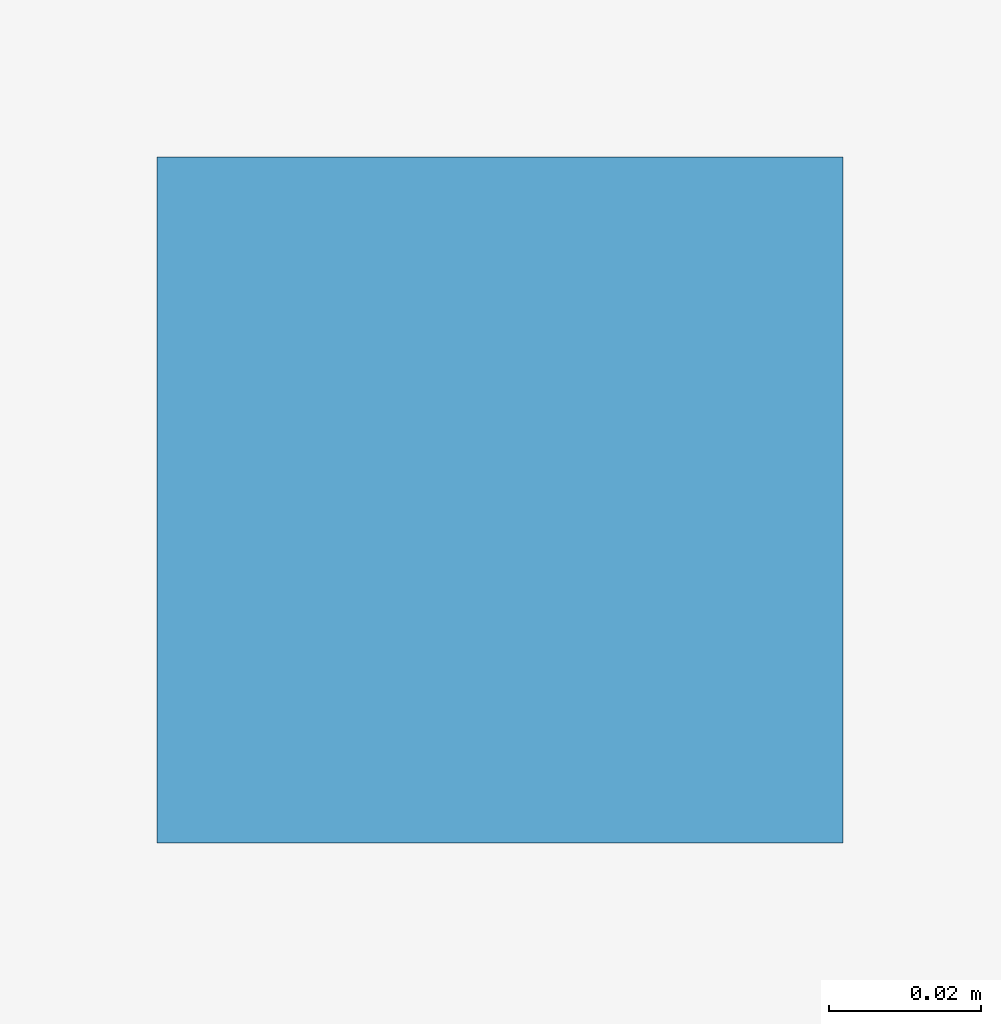
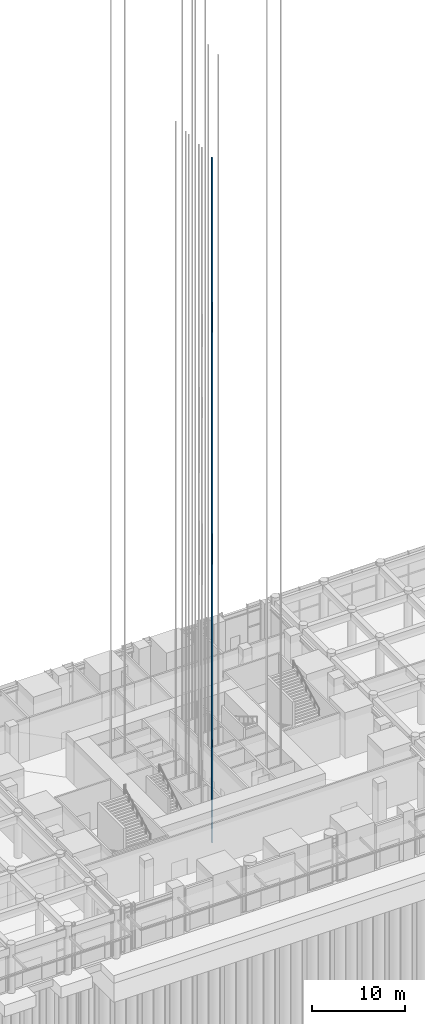
# One storey, part 27 of 46: 1 discrete accessory.
"""IFC4 building model written with IfcOpenShell, lengths in metres."""

from ifc_helpers import new_model, si_unit, direction, frame, origin, origin_2d, place, context, subcontext, project, spatial, rectangle, extrude, element, save


model = new_model("IFC4")

# Units and contexts
model_context = context("Model", 3, precision=1e-05, world=origin(), true_north=direction((0.0, 1.0)))
body_context = subcontext(model_context, "Body", "Model", "MODEL_VIEW")
ifc_project = project(units=[si_unit("LENGTHUNIT", "METRE"), si_unit("AREAUNIT", "SQUARE_METRE"), si_unit("VOLUMEUNIT", "CUBIC_METRE"), si_unit("PLANEANGLEUNIT", "RADIAN"), si_unit("MASSUNIT", "GRAM", prefix="KILO")], contexts=[model_context])

# Site, building, storey
site_placement = place(None, origin())
site = spatial("IfcSite", under=ifc_project, at=site_placement, CompositionType="ELEMENT")
building_placement = place(site_placement, origin())
building = spatial("IfcBuilding", under=site, at=building_placement, Name="Svetlomir Tower", CompositionType="ELEMENT")
storey_placement = place(building_placement, origin())
storey = spatial("IfcBuildingStorey", under=building, at=storey_placement, Name="L00", CompositionType="ELEMENT", Elevation=0.0)

# Discrete accessory
discrete_accessory_placement = place(storey_placement, frame((18.300048828125, 12.824951171875, 0.0), z_axis=(0.0, 0.0, 1.0), x_axis=(1.0, 0.0, 0.0)))
element("IfcDiscreteAccessory", 1, at=discrete_accessory_placement, inside=storey, Name="Lift LA1 guide rail 1", ObjectType="LIFT GUIDE RAIL", PredefinedType="USERDEFINED", context=body_context, shape_type="SweptSolid", body=[
    extrude(rectangle(XDim=0.090087890625, YDim=0.090087890625, at=origin_2d()), origin(), (0.0, 0.0, 1.0), 89.699951171875),
])

save(model, "model.ifc")
